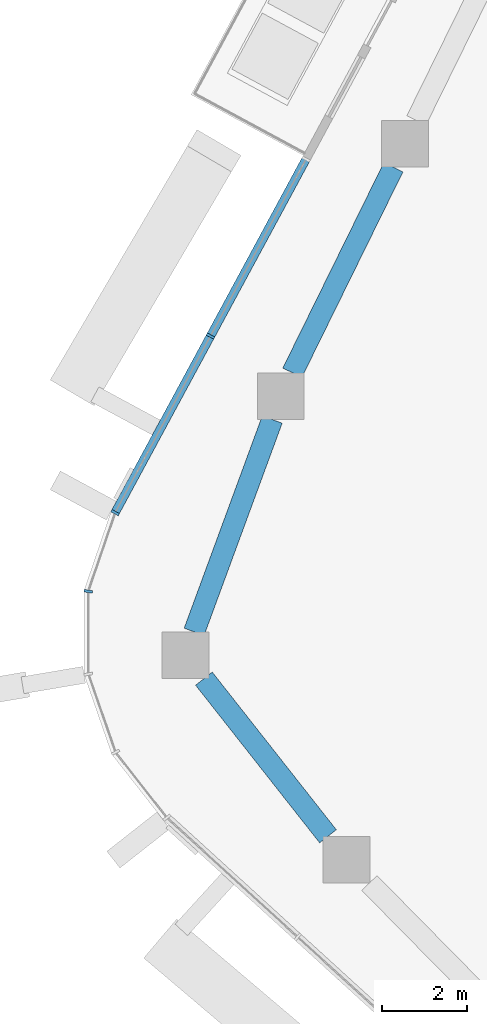
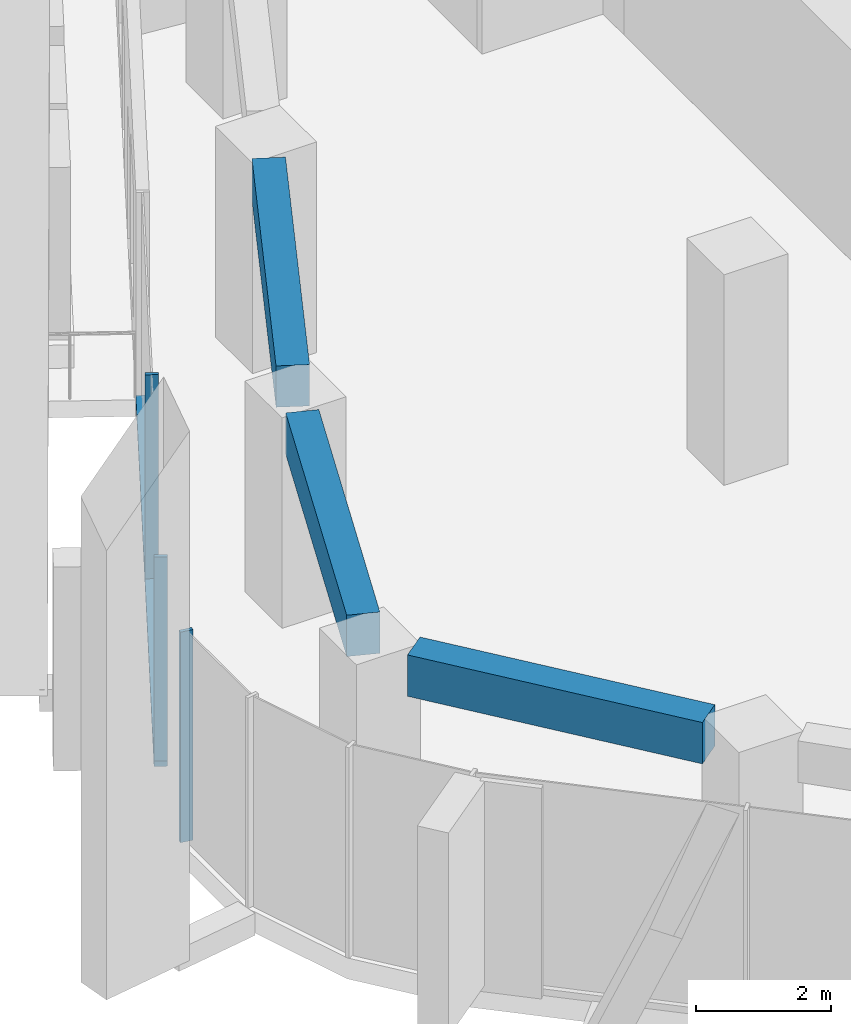
# One storey, part 3 of 20: 4 members, 3 beams, 2 elements without a shape of their own.
"""IFC4 building model written with IfcOpenShell, lengths in metres."""

from ifc_helpers import new_model, si_unit, direction, frame, origin, origin_2d, place, context, subcontext, project, spatial, rectangle, extrude, material, layer, layer_set, material_profile, profile_set, type_object, element, aggregate, save


model = new_model("IFC4")

# Units and contexts
model_context = context("Model", 3, precision=1e-05, world=origin(), true_north=direction((0.0, 1.0)))
body_context = subcontext(model_context, "Body", "Model", "MODEL_VIEW")
ifc_project = project(units=[si_unit("LENGTHUNIT", "METRE"), si_unit("AREAUNIT", "SQUARE_METRE"), si_unit("VOLUMEUNIT", "CUBIC_METRE"), si_unit("PLANEANGLEUNIT", "RADIAN"), si_unit("MASSUNIT", "GRAM", prefix="KILO")], contexts=[model_context])

# Site, building, storey
site_placement = place(None, origin())
site = spatial("IfcSite", under=ifc_project, at=site_placement, CompositionType="ELEMENT")
building_placement = place(site_placement, origin())
building = spatial("IfcBuilding", under=site, at=building_placement, Name="Dongbaek Canopy Tower", CompositionType="ELEMENT")
storey_placement = place(building_placement, frame((0.0, 0.0, 253.800048828125)))
storey = spatial("IfcBuildingStorey", under=building, at=storey_placement, Name="L53", CompositionType="ELEMENT", Elevation=253.800048828125)

# Curtain wall, members
ifc_material_1 = material(Name="Aluminium 6063-T6 pale anodised", Category="aluminium")
ifc_layer = layer(ifc_material_1, 0.199951171875)
ifc_layer_set = layer_set([ifc_layer], Name="CW-1 unitised tower curtain wall")
curtain_wall_type = type_object("IfcCurtainWallType", Name="CW-1 unitised tower curtain wall", PredefinedType="NOTDEFINED", material=ifc_layer_set)
curtain_wall_1_placement = place(storey_placement, origin())
curtain_wall_1 = element("IfcCurtainWall", 1, at=curtain_wall_1_placement, inside=storey, type_object=curtain_wall_type, Name="CW-1 curtain wall F2.1", PredefinedType="NOTDEFINED")
ifc_material_2 = material(Name="Aluminium 6063-T6 pale anodised", Category="aluminium")
ifc_material_profile_1 = material_profile(ifc_material_2, rectangle(XDim=0.199951171875, YDim=0.06005859375, at=origin_2d()), Name="CW-1 mullion 60 x 200")
ifc_profile_set_1 = profile_set([ifc_material_profile_1], Name="Aluminium 6063-T6 pale anodised")
member_type_1 = type_object("IfcMemberType", Name="CW-1 mullion 60 x 200", PredefinedType="MULLION", material=ifc_profile_set_1)
member_1_placement = place(storey_placement, frame((-27.194580078125, 1.489013671875, 0.119873046875), z_axis=(0.0, 0.0, 1.0), x_axis=(-0.879876973154, 0.475201548938, 0.0)))
member_1 = element("IfcMember", 2, at=member_1_placement, type_object=member_type_1, Name="CW-1 mullion F2.1.2", PredefinedType="MULLION", context=body_context, shape_type="SweptSolid", body=[
    extrude(rectangle(XDim=0.199951171875, YDim=0.06005859375, at=origin_2d()), origin(), (0.0, 0.0, 1.0), 3.7001953125),
])
member_2_placement = place(storey_placement, frame((-29.438232421875, -2.66552734375, 0.119873046875), z_axis=(0.0, 0.0, 1.0), x_axis=(-0.879876973154, 0.475201548938, 0.0)))
member_2 = element("IfcMember", 3, at=member_2_placement, type_object=member_type_1, Name="CW-1 mullion F2.1.3", PredefinedType="MULLION", context=body_context, shape_type="SweptSolid", body=[
    extrude(rectangle(XDim=0.199951171875, YDim=0.06005859375, at=origin_2d()), origin(), (0.0, 0.0, 1.0), 3.7001953125),
])

# Curtain wall, member
curtain_wall_2_placement = place(storey_placement, origin())
curtain_wall_2 = element("IfcCurtainWall", 4, at=curtain_wall_2_placement, inside=storey, type_object=curtain_wall_type, Name="CW-1 curtain wall K3.1", PredefinedType="NOTDEFINED")
member_3_placement = place(storey_placement, frame((-30.07080078125, -4.51611328125, 0.0), z_axis=(0.0, 0.0, 1.0), x_axis=(-0.986654271649, 0.162829199583, 0.0)))
member_3 = element("IfcMember", 5, at=member_3_placement, type_object=member_type_1, Name="CW-1 mullion K3.1.2", PredefinedType="MULLION", context=body_context, shape_type="SweptSolid", body=[
    extrude(rectangle(XDim=0.199951171875, YDim=0.06005859375, at=origin_2d()), origin(), (0.0, 0.0, 1.0), 3.820068359375),
])
aggregate(curtain_wall_2, [member_3])

# Member
ifc_material_3 = material(Name="Aluminium 6063-T6 pale anodised", Category="aluminium")
ifc_material_profile_2 = material_profile(ifc_material_3, rectangle(XDim=0.199951171875, YDim=0.1201171875, at=origin_2d()), Name="CW-1 transom 120 x 200")
ifc_profile_set_2 = profile_set([ifc_material_profile_2], Name="Aluminium 6063-T6 pale anodised")
member_type_2 = type_object("IfcMemberType", Name="CW-1 transom 120 x 200", PredefinedType="USERDEFINED", material=ifc_profile_set_2)
member_4_placement = place(storey_placement, frame((-24.94677734375, 5.65087890625, 0.06005859375), z_axis=(-0.475197710555, -0.879879046167, 0.0), x_axis=(0.879879046167, -0.475197710555, 0.0)))
member_4 = element("IfcMember", 6, at=member_4_placement, type_object=member_type_2, Name="CW-1 transom F2.1.1", ObjectType="TRANSOM", PredefinedType="USERDEFINED", context=body_context, shape_type="SweptSolid", body=[
    extrude(rectangle(XDim=0.199951171875, YDim=0.1201171875, at=origin_2d()), origin(), (0.0, 0.0, 1.0), 9.45166015625),
])

aggregate(curtain_wall_1, [member_1, member_2, member_4])

# Beams
ifc_material_4 = material(Name="Concrete C70", Category="concrete")
ifc_material_profile_3 = material_profile(ifc_material_4, rectangle(XDim=0.5, YDim=0.75, at=origin_2d()), Name="RC EDGE BEAM 500x750 C70")
ifc_profile_set_3 = profile_set([ifc_material_profile_3], Name="Concrete C70")
beam_type = type_object("IfcBeamType", Name="RC EDGE BEAM 500x750 C70", PredefinedType="BEAM", material=ifc_profile_set_3)
beam_1_placement = place(storey_placement, frame((-24.429931640625, -10.279052734375, 3.445068359375), z_axis=(-0.618474671525, 0.785804734449, 0.0), x_axis=(-0.785804734449, -0.618474671525, 0.0)))
element("IfcBeam", 7, at=beam_1_placement, inside=storey, type_object=beam_type, Name="EDGEBEAM:L53:07", PredefinedType="BEAM", context=body_context, shape_type="SweptSolid", body=[
    extrude(rectangle(XDim=0.5, YDim=0.75, at=origin_2d()), origin(), (0.0, 0.0, 1.0), 4.719970703125),
])
beam_2_placement = place(storey_placement, frame((-27.57958984375, -5.469970703125, 3.445068359375), z_axis=(0.345180317771, 0.938536386201, 0.0), x_axis=(-0.938536386201, 0.345180317771, 0.0)))
element("IfcBeam", 8, at=beam_2_placement, inside=storey, type_object=beam_type, Name="EDGEBEAM:L53:08", PredefinedType="BEAM", context=body_context, shape_type="SweptSolid", body=[
    extrude(rectangle(XDim=0.5, YDim=0.75, at=origin_2d()), origin(), (0.0, 0.0, 1.0), 5.322998046875),
])
beam_3_placement = place(storey_placement, frame((-25.26953125, 0.6259765625, 3.445068359375), z_axis=(0.44133161815, 0.897344082736, 0.0), x_axis=(-0.897344082736, 0.44133161815, 0.0)))
element("IfcBeam", 9, at=beam_3_placement, inside=storey, type_object=beam_type, Name="EDGEBEAM:L53:09", PredefinedType="BEAM", context=body_context, shape_type="SweptSolid", body=[
    extrude(rectangle(XDim=0.5, YDim=0.75, at=origin_2d()), origin(), (0.0, 0.0, 1.0), 5.38818359375),
])

save(model, "model.ifc")
